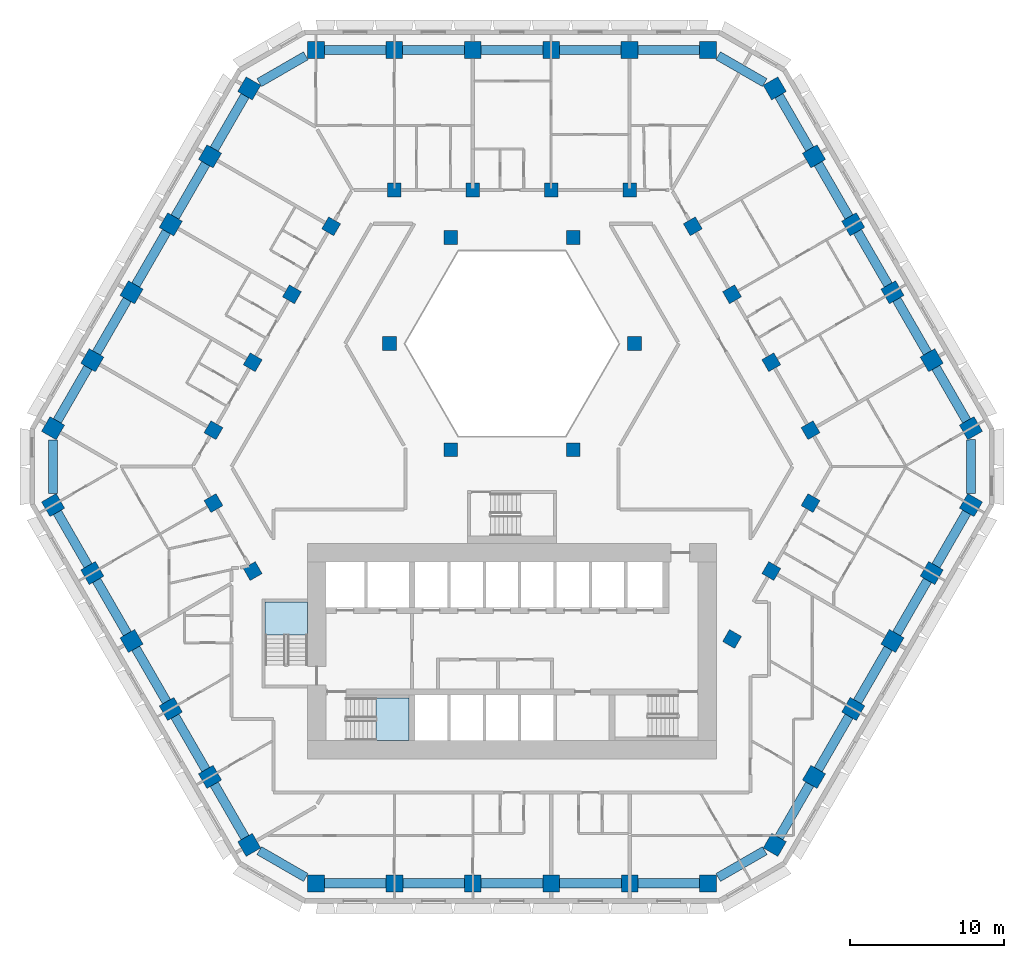
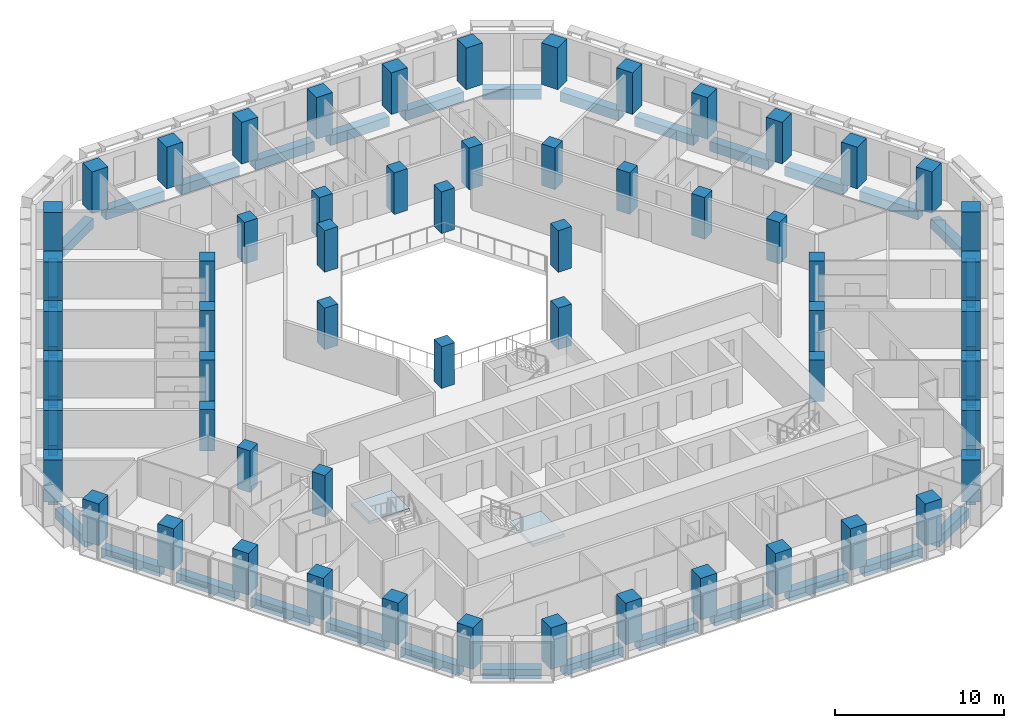
# One storey, part 1 of 16: 59 columns, 36 beams, 2 slabs, 2 elements without a shape of their own.
"""IFC4 building model written with IfcOpenShell, lengths in metres."""

from ifc_helpers import new_model, si_unit, direction, frame, origin, origin_2d, place, context, subcontext, project, spatial, polyline, rectangle, outline, extrude, material, layer, layer_set, material_profile, profile_set, type_object, element, aggregate, save


model = new_model("IFC4")

# Units and contexts
model_context = context("Model", 3, precision=1e-05, world=origin(), true_north=direction((0.0, 1.0)))
body_context = subcontext(model_context, "Body", "Model", "MODEL_VIEW")
ifc_project = project(units=[si_unit("LENGTHUNIT", "METRE"), si_unit("AREAUNIT", "SQUARE_METRE"), si_unit("VOLUMEUNIT", "CUBIC_METRE"), si_unit("PLANEANGLEUNIT", "RADIAN"), si_unit("MASSUNIT", "GRAM", prefix="KILO")], contexts=[model_context])

# Site, building, storey
site_placement = place(None, origin())
site = spatial("IfcSite", under=ifc_project, at=site_placement, CompositionType="ELEMENT")
building_placement = place(site_placement, origin())
building = spatial("IfcBuilding", under=site, at=building_placement, Name="Beryl Residences", CompositionType="ELEMENT")
storey_placement = place(building_placement, frame((0.0, 0.0, 38.39990234375)))
storey = spatial("IfcBuildingStorey", under=building, at=storey_placement, Name="L11", CompositionType="ELEMENT", Elevation=38.39990234375)

# Columns
ifc_material_1 = material(Name="Concrete C80/95", Category="concrete")
ifc_material_profile_1 = material_profile(ifc_material_1, rectangle(XDim=1.10009765625, YDim=1.10009765625, at=origin_2d()))
ifc_profile_set_1 = profile_set([ifc_material_profile_1], Name="Concrete C80/95")
column_type_1 = type_object("IfcColumnType", Name="C1 tube column 1100 x 1100 C80/95", PredefinedType="COLUMN", material=ifc_profile_set_1)
for number, where, z_axis, x_axis, name in (
    (1, (12.759033203125, 27.10009765625, 0.0), (0.0, 0.0, 1.0), (-1.0, 0.0, 0.0), "C1-N1 L11"),
    (2, (7.655029296875, 27.10009765625, 0.0), (0.0, 0.0, 1.0), (-1.0, 0.0, 0.0), "C1-N2 L11"),
    (3, (2.551025390625, 27.10009765625, 0.0), (0.0, 0.0, 1.0), (-1.0, 0.0, 0.0), "C1-N3 L11"),
    (4, (-2.552978515625, 27.10009765625, 0.0), (0.0, 0.0, 1.0), (-1.0, 0.0, 0.0), "C1-N4 L11"),
    (5, (-7.656982421875, 27.10009765625, 0.0), (0.0, 0.0, 1.0), (-1.0, 0.0, 0.0), "C1-N5 L11"),
    (6, (-12.760986328125, 27.10009765625, 0.0), (0.0, 0.0, 1.0), (-1.0, 0.0, 0.0), "C1-N6 L11"),
    (7, (-17.090087890625, 24.60009765625, 0.0), (0.0, 0.0, 1.0), (-0.499984884929, -0.866034130299, 0.0), "C1-NW1 L11"),
    (8, (-19.64208984375, 20.179931640625, 0.0), (0.0, 0.0, 1.0), (-0.499984884929, -0.866034130299, 0.0), "C1-NW2 L11"),
    (9, (-22.194091796875, 15.759033203125, 0.0), (0.0, 0.0, 1.0), (-0.499984884929, -0.866034130299, 0.0), "C1-NW3 L11"),
    (10, (-24.74609375, 11.339111328125, 0.0), (0.0, 0.0, 1.0), (-0.499984884929, -0.866034130299, 0.0), "C1-NW4 L11"),
    (11, (-27.298095703125, 6.9189453125, 0.0), (0.0, 0.0, 1.0), (-0.499984884929, -0.866034130299, 0.0), "C1-NW5 L11"),
    (12, (-29.84912109375, 2.4990234375, 0.0), (0.0, 0.0, 1.0), (-0.499984884929, -0.866034130299, 0.0), "C1-NW6 L11"),
    (13, (-29.847900390625, -2.5, 0.0), (0.0, 0.0, 1.0), (0.499984884929, -0.866034130299, 0.0), "C1-SW1 L11"),
    (14, (-27.297119140625, -6.9208984375, 0.0), (0.0, 0.0, 1.0), (0.499984884929, -0.866034130299, 0.0), "C1-SW2 L11"),
    (15, (-24.7451171875, -11.341064453125, 0.0), (0.0, 0.0, 1.0), (0.499984884929, -0.866034130299, 0.0), "C1-SW3 L11"),
    (16, (-22.193115234375, -15.760986328125, 0.0), (0.0, 0.0, 1.0), (0.499984884929, -0.866034130299, 0.0), "C1-SW4 L11"),
    (17, (-19.64111328125, -20.180908203125, 0.0), (0.0, 0.0, 1.0), (0.499984884929, -0.866034130299, 0.0), "C1-SW5 L11"),
    (18, (-17.089111328125, -24.60107421875, 0.0), (0.0, 0.0, 1.0), (0.499984884929, -0.866034130299, 0.0), "C1-SW6 L11"),
    (19, (-12.759033203125, -27.10009765625, 0.0), (0.0, 0.0, 1.0), (1.0, 0.0, 0.0), "C1-S1 L11"),
    (20, (-7.655029296875, -27.10009765625, 0.0), (0.0, 0.0, 1.0), (1.0, 0.0, 0.0), "C1-S2 L11"),
    (21, (-2.551025390625, -27.10009765625, 0.0), (0.0, 0.0, 1.0), (1.0, 0.0, 0.0), "C1-S3 L11"),
    (22, (2.552978515625, -27.10009765625, 0.0), (0.0, 0.0, 1.0), (1.0, 0.0, 0.0), "C1-S4 L11"),
    (23, (7.656982421875, -27.10009765625, 0.0), (0.0, 0.0, 1.0), (1.0, 0.0, 0.0), "C1-S5 L11"),
    (24, (12.760986328125, -27.10009765625, 0.0), (0.0, 0.0, 1.0), (1.0, 0.0, 0.0), "C1-S6 L11"),
    (25, (17.090087890625, -24.60009765625, 0.0), (0.0, 0.0, 1.0), (0.499984884929, 0.866034130299, 0.0), "C1-SE1 L11"),
    (26, (19.64208984375, -20.179931640625, 0.0), (0.0, 0.0, 1.0), (0.499984884929, 0.866034130299, 0.0), "C1-SE2 L11"),
    (27, (22.194091796875, -15.759033203125, 0.0), (0.0, 0.0, 1.0), (0.499984884929, 0.866034130299, 0.0), "C1-SE3 L11"),
    (28, (24.74609375, -11.339111328125, 0.0), (0.0, 0.0, 1.0), (0.499984884929, 0.866034130299, 0.0), "C1-SE4 L11"),
    (29, (27.298095703125, -6.9189453125, 0.0), (0.0, 0.0, 1.0), (0.499984884929, 0.866034130299, 0.0), "C1-SE5 L11"),
    (30, (29.84912109375, -2.4990234375, 0.0), (0.0, 0.0, 1.0), (0.499984884929, 0.866034130299, 0.0), "C1-SE6 L11"),
    (31, (29.847900390625, 2.5, 0.0), (0.0, 0.0, 1.0), (-0.499984884929, 0.866034130299, 0.0), "C1-NE1 L11"),
    (32, (27.297119140625, 6.9208984375, 0.0), (0.0, 0.0, 1.0), (-0.499984884929, 0.866034130299, 0.0), "C1-NE2 L11"),
    (33, (24.7451171875, 11.341064453125, 0.0), (0.0, 0.0, 1.0), (-0.499984884929, 0.866034130299, 0.0), "C1-NE3 L11"),
    (34, (22.193115234375, 15.760986328125, 0.0), (0.0, 0.0, 1.0), (-0.499984884929, 0.866034130299, 0.0), "C1-NE4 L11"),
    (35, (19.64111328125, 20.180908203125, 0.0), (0.0, 0.0, 1.0), (-0.499984884929, 0.866034130299, 0.0), "C1-NE5 L11"),
    (36, (17.089111328125, 24.60107421875, 0.0), (0.0, 0.0, 1.0), (-0.499984884929, 0.866034130299, 0.0), "C1-NE6 L11"),
):
    element("IfcColumn", number, at=place(storey_placement, frame(where, z_axis=z_axis, x_axis=x_axis)), inside=storey, type_object=column_type_1, Name=name, PredefinedType="COLUMN", context=body_context, shape_type="SweptSolid", body=[
        extrude(rectangle(XDim=1.10009765625, YDim=1.10009765625, at=origin_2d()), origin(), (0.0, 0.0, 1.0), 3.0),
    ])
ifc_material_2 = material(Name="Concrete C80/95", Category="concrete")
ifc_material_profile_2 = material_profile(ifc_material_2, rectangle(XDim=0.89990234375, YDim=0.89990234375, at=origin_2d()))
ifc_profile_set_2 = profile_set([ifc_material_profile_2], Name="Concrete C80/95")
column_type_2 = type_object("IfcColumnType", Name="IC1 interior column 900 x 900 C80/95", PredefinedType="COLUMN", material=ifc_profile_set_2)
for number, where, z_axis, x_axis, name in (
    (37, (-19.416015625, -2.37109375, 0.0), (0.0, 0.0, 1.0), (0.499984884929, -0.866034130299, 0.0), "IC1-M01 L11"),
    (38, (-16.864013671875, -6.791015625, 0.0), (0.0, 0.0, 1.0), (0.499984884929, -0.866034130299, 0.0), "IC1-M02 L11"),
    (39, (14.31298828125, -11.208984375, 0.0), (0.0, 0.0, 1.0), (0.499984884929, 0.866034130299, 0.0), "IC1-M03 L11"),
    (40, (16.864990234375, -6.7890625, 0.0), (0.0, 0.0, 1.0), (0.499984884929, 0.866034130299, 0.0), "IC1-M04 L11"),
    (41, (19.4169921875, -2.368896484375, 0.0), (0.0, 0.0, 1.0), (0.499984884929, 0.866034130299, 0.0), "IC1-M05 L11"),
    (42, (19.416015625, 2.37109375, 0.0), (0.0, 0.0, 1.0), (-0.499984884929, 0.866034130299, 0.0), "IC1-M06 L11"),
    (43, (3.98388671875, 1.10009765625, 0.0), (0.0, 0.0, 1.0), (1.0, 0.0, 0.0), "IC1-A07 L11"),
    (44, (16.864013671875, 6.791015625, 0.0), (0.0, 0.0, 1.0), (-0.499984884929, 0.866034130299, 0.0), "IC1-M08 L11"),
    (45, (14.31201171875, 11.2109375, 0.0), (0.0, 0.0, 1.0), (-0.499984884929, 0.866034130299, 0.0), "IC1-M09 L11"),
    (46, (7.967041015625, 8.0, 0.0), (0.0, 0.0, 1.0), (1.0, 0.0, 0.0), "IC1-A10 L11"),
    (47, (11.760009765625, 15.631103515625, 0.0), (0.0, 0.0, 1.0), (-0.499984884929, 0.866034130299, 0.0), "IC1-M11 L11"),
    (48, (7.655029296875, 18.0, 0.0), (0.0, 0.0, 1.0), (-1.0, 0.0, 0.0), "IC1-M12 L11"),
    (49, (3.98388671875, 14.89990234375, 0.0), (0.0, 0.0, 1.0), (1.0, 0.0, 0.0), "IC1-A13 L11"),
    (50, (2.551025390625, 18.0, 0.0), (0.0, 0.0, 1.0), (-1.0, 0.0, 0.0), "IC1-M14 L11"),
    (51, (-2.552978515625, 18.0, 0.0), (0.0, 0.0, 1.0), (-1.0, 0.0, 0.0), "IC1-M15 L11"),
    (52, (-3.98388671875, 14.89990234375, 0.0), (0.0, 0.0, 1.0), (1.0, 0.0, 0.0), "IC1-A16 L11"),
    (53, (-7.656982421875, 18.0, 0.0), (0.0, 0.0, 1.0), (-1.0, 0.0, 0.0), "IC1-M17 L11"),
    (54, (-11.760986328125, 15.6298828125, 0.0), (0.0, 0.0, 1.0), (-0.499984884929, -0.866034130299, 0.0), "IC1-M18 L11"),
    (55, (-7.967041015625, 8.0, 0.0), (0.0, 0.0, 1.0), (1.0, 0.0, 0.0), "IC1-A19 L11"),
    (56, (-14.31298828125, 11.208984375, 0.0), (0.0, 0.0, 1.0), (-0.499984884929, -0.866034130299, 0.0), "IC1-M20 L11"),
    (57, (-16.864990234375, 6.7890625, 0.0), (0.0, 0.0, 1.0), (-0.499984884929, -0.866034130299, 0.0), "IC1-M21 L11"),
    (58, (-3.98388671875, 1.10009765625, 0.0), (0.0, 0.0, 1.0), (1.0, 0.0, 0.0), "IC1-A22 L11"),
    (59, (-19.4169921875, 2.368896484375, 0.0), (0.0, 0.0, 1.0), (-0.499984884929, -0.866034130299, 0.0), "IC1-M23 L11"),
):
    element("IfcColumn", number, at=place(storey_placement, frame(where, z_axis=z_axis, x_axis=x_axis)), inside=storey, type_object=column_type_2, Name=name, PredefinedType="COLUMN", context=body_context, shape_type="SweptSolid", body=[
        extrude(rectangle(XDim=0.89990234375, YDim=0.89990234375, at=origin_2d()), origin(), (0.0, 0.0, 1.0), 3.0),
    ])

# Beams
ifc_material_3 = material(Name="Concrete C80/95", Category="concrete")
ifc_material_profile_3 = material_profile(ifc_material_3, rectangle(XDim=0.60009765625, YDim=0.699951171875, at=origin_2d()))
ifc_profile_set_3 = profile_set([ifc_material_profile_3], Name="Concrete C80/95")
beam_type = type_object("IfcBeamType", Name="SB1 spandrel beam 600 x 700 C80/95", PredefinedType="SPANDREL", material=ifc_profile_set_3)
for number, where, z_axis, x_axis, name in (
    (60, (12.208984375, 27.10009765625, -0.64990234375), (-1.0, 0.0, 0.0), (0.0, -1.0, 0.0), "SB1 L11 N-0"),
    (61, (7.10498046875, 27.10009765625, -0.64990234375), (-1.0, 0.0, 0.0), (0.0, -1.0, 0.0), "SB1 L11 N-1"),
    (62, (2.0009765625, 27.10009765625, -0.64990234375), (-1.0, 0.0, 0.0), (0.0, -1.0, 0.0), "SB1 L11 N-2"),
    (63, (-3.10302734375, 27.10009765625, -0.64990234375), (-1.0, 0.0, 0.0), (0.0, -1.0, 0.0), "SB1 L11 N-3"),
    (64, (-8.20703125, 27.10009765625, -0.64990234375), (-1.0, 0.0, 0.0), (0.0, -1.0, 0.0), "SB1 L11 N-4"),
):
    element("IfcBeam", number, at=place(storey_placement, frame(where, z_axis=z_axis, x_axis=x_axis)), inside=storey, type_object=beam_type, Name=name, PredefinedType="SPANDREL", context=body_context, shape_type="SweptSolid", body=[
        extrude(rectangle(XDim=0.60009765625, YDim=0.699951171875, at=origin_2d()), origin(), (0.0, 0.0, 1.0), 4.00390625),
    ])
beam_1_placement = place(storey_placement, frame((-13.410888671875, 26.72412109375, -0.64990234375), z_axis=(-0.866121658299, -0.499833245218, 0.0), x_axis=(0.499833245218, -0.866121658299, 0.0)))
element("IfcBeam", 65, at=beam_1_placement, inside=storey, type_object=beam_type, Name="SB1 L11 N-5", PredefinedType="SPANDREL", context=body_context, shape_type="SweptSolid", body=[
    extrude(rectangle(XDim=0.60009765625, YDim=0.699951171875, at=origin_2d()), origin(), (0.0, 0.0, 1.0), 3.497314453125),
])
beam_2_placement = place(storey_placement, frame((-17.364990234375, 24.1240234375, -0.64990234375), z_axis=(-0.499942357345, -0.866058681229, 0.0), x_axis=(0.866058681229, -0.499942357345, 0.0)))
element("IfcBeam", 66, at=beam_2_placement, inside=storey, type_object=beam_type, Name="SB1 L11 NW-0", PredefinedType="SPANDREL", context=body_context, shape_type="SweptSolid", body=[
    extrude(rectangle(XDim=0.60009765625, YDim=0.699951171875, at=origin_2d()), origin(), (0.0, 0.0, 1.0), 4.00439453125),
])
beam_3_placement = place(storey_placement, frame((-19.9169921875, 19.7041015625, -0.64990234375), z_axis=(-0.499836783367, -0.866119616446, 0.0), x_axis=(0.866119616446, -0.499836783367, 0.0)))
element("IfcBeam", 67, at=beam_3_placement, inside=storey, type_object=beam_type, Name="SB1 L11 NW-1", PredefinedType="SPANDREL", context=body_context, shape_type="SweptSolid", body=[
    extrude(rectangle(XDim=0.60009765625, YDim=0.699951171875, at=origin_2d()), origin(), (0.0, 0.0, 1.0), 4.005126953125),
])
for number, where, z_axis, x_axis, name in (
    (68, (-22.468994140625, 15.282958984375, -0.64990234375), (-0.499942357345, -0.866058681229, 0.0), (0.866058681229, -0.499942357345, 0.0), "SB1 L11 NW-2"),
    (69, (-25.02099609375, 10.863037109375, -0.64990234375), (-0.499942357345, -0.866058681229, 0.0), (0.866058681229, -0.499942357345, 0.0), "SB1 L11 NW-3"),
):
    element("IfcBeam", number, at=place(storey_placement, frame(where, z_axis=z_axis, x_axis=x_axis)), inside=storey, type_object=beam_type, Name=name, PredefinedType="SPANDREL", context=body_context, shape_type="SweptSolid", body=[
        extrude(rectangle(XDim=0.60009765625, YDim=0.699951171875, at=origin_2d()), origin(), (0.0, 0.0, 1.0), 4.00439453125),
    ])
beam_4_placement = place(storey_placement, frame((-27.572998046875, 6.443115234375, -0.64990234375), z_axis=(-0.499759404093, -0.866164267342, 0.0), x_axis=(0.866164267342, -0.499759404093, 0.0)))
element("IfcBeam", 70, at=beam_4_placement, inside=storey, type_object=beam_type, Name="SB1 L11 NW-4", PredefinedType="SPANDREL", context=body_context, shape_type="SweptSolid", body=[
    extrude(rectangle(XDim=0.60009765625, YDim=0.699951171875, at=origin_2d()), origin(), (0.0, 0.0, 1.0), 4.00390625),
])
beam_5_placement = place(storey_placement, frame((-29.84912109375, 1.748046875, -0.64990234375), z_axis=(0.000349064486, -0.999999939077, 0.0), x_axis=(0.999999939077, 0.000349064486, 0.0)))
element("IfcBeam", 71, at=beam_5_placement, inside=storey, type_object=beam_type, Name="SB1 L11 NW-5", PredefinedType="SPANDREL", context=body_context, shape_type="SweptSolid", body=[
    extrude(rectangle(XDim=0.60009765625, YDim=0.699951171875, at=origin_2d()), origin(), (0.0, 0.0, 1.0), 3.4970703125),
])
beam_6_placement = place(storey_placement, frame((-29.572998046875, -2.97607421875, -0.64990234375), z_axis=(0.499653843024, -0.866225165388, 0.0), x_axis=(0.866225165388, 0.499653843024, 0.0)))
element("IfcBeam", 72, at=beam_6_placement, inside=storey, type_object=beam_type, Name="SB1 L11 SW-0", PredefinedType="SPANDREL", context=body_context, shape_type="SweptSolid", body=[
    extrude(rectangle(XDim=0.60009765625, YDim=0.699951171875, at=origin_2d()), origin(), (0.0, 0.0, 1.0), 4.004638671875),
])
for number, where, z_axis, x_axis, name in (
    (73, (-27.02197265625, -7.39697265625, -0.64990234375), (0.499942357345, -0.866058681229, 0.0), (0.866058681229, 0.499942357345, 0.0), "SB1 L11 SW-1"),
    (74, (-24.469970703125, -11.81689453125, -0.64990234375), (0.499942357345, -0.866058681229, 0.0), (0.866058681229, 0.499942357345, 0.0), "SB1 L11 SW-2"),
    (75, (-21.91796875, -16.237060546875, -0.64990234375), (0.499942357345, -0.866058681229, 0.0), (0.866058681229, 0.499942357345, 0.0), "SB1 L11 SW-3"),
    (76, (-19.365966796875, -20.656982421875, -0.64990234375), (0.499942357345, -0.866058681229, 0.0), (0.866058681229, 0.499942357345, 0.0), "SB1 L11 SW-4"),
):
    element("IfcBeam", number, at=place(storey_placement, frame(where, z_axis=z_axis, x_axis=x_axis)), inside=storey, type_object=beam_type, Name=name, PredefinedType="SPANDREL", context=body_context, shape_type="SweptSolid", body=[
        extrude(rectangle(XDim=0.60009765625, YDim=0.699951171875, at=origin_2d()), origin(), (0.0, 0.0, 1.0), 4.00439453125),
    ])
beam_7_placement = place(storey_placement, frame((-16.43896484375, -24.97607421875, -0.64990234375), z_axis=(0.866070549782, -0.499921796684, 0.0), x_axis=(0.499921796684, 0.866070549782, 0.0)))
element("IfcBeam", 77, at=beam_7_placement, inside=storey, type_object=beam_type, Name="SB1 L11 SW-5", PredefinedType="SPANDREL", context=body_context, shape_type="SweptSolid", body=[
    extrude(rectangle(XDim=0.60009765625, YDim=0.699951171875, at=origin_2d()), origin(), (0.0, 0.0, 1.0), 3.49853515625),
])
for number, where, z_axis, x_axis, name in (
    (78, (-12.208984375, -27.10009765625, -0.64990234375), (1.0, 0.0, 0.0), (0.0, 1.0, 0.0), "SB1 L11 S-0"),
    (79, (-7.10498046875, -27.10009765625, -0.64990234375), (1.0, 0.0, 0.0), (0.0, 1.0, 0.0), "SB1 L11 S-1"),
    (80, (-2.0009765625, -27.10009765625, -0.64990234375), (1.0, 0.0, 0.0), (0.0, 1.0, 0.0), "SB1 L11 S-2"),
    (81, (3.10302734375, -27.10009765625, -0.64990234375), (1.0, 0.0, 0.0), (0.0, 1.0, 0.0), "SB1 L11 S-3"),
    (82, (8.20703125, -27.10009765625, -0.64990234375), (1.0, 0.0, 0.0), (0.0, 1.0, 0.0), "SB1 L11 S-4"),
):
    element("IfcBeam", number, at=place(storey_placement, frame(where, z_axis=z_axis, x_axis=x_axis)), inside=storey, type_object=beam_type, Name=name, PredefinedType="SPANDREL", context=body_context, shape_type="SweptSolid", body=[
        extrude(rectangle(XDim=0.60009765625, YDim=0.699951171875, at=origin_2d()), origin(), (0.0, 0.0, 1.0), 4.00390625),
    ])
beam_8_placement = place(storey_placement, frame((13.410888671875, -26.72412109375, -0.64990234375), z_axis=(0.866121658299, 0.499833245218, 0.0), x_axis=(-0.499833245218, 0.866121658299, 0.0)))
element("IfcBeam", 83, at=beam_8_placement, inside=storey, type_object=beam_type, Name="SB1 L11 S-5", PredefinedType="SPANDREL", context=body_context, shape_type="SweptSolid", body=[
    extrude(rectangle(XDim=0.60009765625, YDim=0.699951171875, at=origin_2d()), origin(), (0.0, 0.0, 1.0), 3.497314453125),
])
beam_9_placement = place(storey_placement, frame((17.364990234375, -24.1240234375, -0.64990234375), z_axis=(0.499942357345, 0.866058681229, 0.0), x_axis=(-0.866058681229, 0.499942357345, 0.0)))
element("IfcBeam", 84, at=beam_9_placement, inside=storey, type_object=beam_type, Name="SB1 L11 SE-0", PredefinedType="SPANDREL", context=body_context, shape_type="SweptSolid", body=[
    extrude(rectangle(XDim=0.60009765625, YDim=0.699951171875, at=origin_2d()), origin(), (0.0, 0.0, 1.0), 4.00439453125),
])
beam_10_placement = place(storey_placement, frame((19.9169921875, -19.7041015625, -0.64990234375), z_axis=(0.499836783367, 0.866119616446, 0.0), x_axis=(-0.866119616446, 0.499836783367, 0.0)))
element("IfcBeam", 85, at=beam_10_placement, inside=storey, type_object=beam_type, Name="SB1 L11 SE-1", PredefinedType="SPANDREL", context=body_context, shape_type="SweptSolid", body=[
    extrude(rectangle(XDim=0.60009765625, YDim=0.699951171875, at=origin_2d()), origin(), (0.0, 0.0, 1.0), 4.005126953125),
])
for number, where, z_axis, x_axis, name in (
    (86, (22.468994140625, -15.282958984375, -0.64990234375), (0.499942357345, 0.866058681229, 0.0), (-0.866058681229, 0.499942357345, 0.0), "SB1 L11 SE-2"),
    (87, (25.02099609375, -10.863037109375, -0.64990234375), (0.499942357345, 0.866058681229, 0.0), (-0.866058681229, 0.499942357345, 0.0), "SB1 L11 SE-3"),
):
    element("IfcBeam", number, at=place(storey_placement, frame(where, z_axis=z_axis, x_axis=x_axis)), inside=storey, type_object=beam_type, Name=name, PredefinedType="SPANDREL", context=body_context, shape_type="SweptSolid", body=[
        extrude(rectangle(XDim=0.60009765625, YDim=0.699951171875, at=origin_2d()), origin(), (0.0, 0.0, 1.0), 4.00439453125),
    ])
beam_11_placement = place(storey_placement, frame((27.572998046875, -6.443115234375, -0.64990234375), z_axis=(0.499759404093, 0.866164267342, 0.0), x_axis=(-0.866164267342, 0.499759404093, 0.0)))
element("IfcBeam", 88, at=beam_11_placement, inside=storey, type_object=beam_type, Name="SB1 L11 SE-4", PredefinedType="SPANDREL", context=body_context, shape_type="SweptSolid", body=[
    extrude(rectangle(XDim=0.60009765625, YDim=0.699951171875, at=origin_2d()), origin(), (0.0, 0.0, 1.0), 4.00390625),
])
beam_12_placement = place(storey_placement, frame((29.84912109375, -1.748046875, -0.64990234375), z_axis=(-0.000349064486, 0.999999939077, 0.0), x_axis=(-0.999999939077, -0.000349064486, 0.0)))
element("IfcBeam", 89, at=beam_12_placement, inside=storey, type_object=beam_type, Name="SB1 L11 SE-5", PredefinedType="SPANDREL", context=body_context, shape_type="SweptSolid", body=[
    extrude(rectangle(XDim=0.60009765625, YDim=0.699951171875, at=origin_2d()), origin(), (0.0, 0.0, 1.0), 3.4970703125),
])
beam_13_placement = place(storey_placement, frame((29.572998046875, 2.97607421875, -0.64990234375), z_axis=(-0.499653843024, 0.866225165388, 0.0), x_axis=(-0.866225165388, -0.499653843024, 0.0)))
element("IfcBeam", 90, at=beam_13_placement, inside=storey, type_object=beam_type, Name="SB1 L11 NE-0", PredefinedType="SPANDREL", context=body_context, shape_type="SweptSolid", body=[
    extrude(rectangle(XDim=0.60009765625, YDim=0.699951171875, at=origin_2d()), origin(), (0.0, 0.0, 1.0), 4.004638671875),
])
for number, where, z_axis, x_axis, name in (
    (91, (27.02197265625, 7.39697265625, -0.64990234375), (-0.499942357345, 0.866058681229, 0.0), (-0.866058681229, -0.499942357345, 0.0), "SB1 L11 NE-1"),
    (92, (24.469970703125, 11.81689453125, -0.64990234375), (-0.499942357345, 0.866058681229, 0.0), (-0.866058681229, -0.499942357345, 0.0), "SB1 L11 NE-2"),
    (93, (21.91796875, 16.237060546875, -0.64990234375), (-0.499942357345, 0.866058681229, 0.0), (-0.866058681229, -0.499942357345, 0.0), "SB1 L11 NE-3"),
    (94, (19.365966796875, 20.656982421875, -0.64990234375), (-0.499942357345, 0.866058681229, 0.0), (-0.866058681229, -0.499942357345, 0.0), "SB1 L11 NE-4"),
):
    element("IfcBeam", number, at=place(storey_placement, frame(where, z_axis=z_axis, x_axis=x_axis)), inside=storey, type_object=beam_type, Name=name, PredefinedType="SPANDREL", context=body_context, shape_type="SweptSolid", body=[
        extrude(rectangle(XDim=0.60009765625, YDim=0.699951171875, at=origin_2d()), origin(), (0.0, 0.0, 1.0), 4.00439453125),
    ])
beam_14_placement = place(storey_placement, frame((16.43896484375, 24.97607421875, -0.64990234375), z_axis=(-0.866070549782, 0.499921796684, 0.0), x_axis=(-0.499921796684, -0.866070549782, 0.0)))
element("IfcBeam", 95, at=beam_14_placement, inside=storey, type_object=beam_type, Name="SB1 L11 NE-5", PredefinedType="SPANDREL", context=body_context, shape_type="SweptSolid", body=[
    extrude(rectangle(XDim=0.60009765625, YDim=0.699951171875, at=origin_2d()), origin(), (0.0, 0.0, 1.0), 3.49853515625),
])

# Stair, slab
ifc_material_4 = material(Name="Concrete C40/50", Category="concrete")
stair_type = type_object("IfcStairType", Name="ST1 protected exit stair, half-turn, 1300 mm flights", PredefinedType="HALF_TURN_STAIR", material=ifc_material_4)
stair_1_placement = place(storey_placement, origin())
stair_1 = element("IfcStair", 96, at=stair_1_placement, inside=storey, type_object=stair_type, Name="L11 PROTECTED EXIT STAIR ST-1", PredefinedType="HALF_TURN_STAIR")
ifc_material_5 = material(Name="Concrete C40/50", Category="concrete")
ifc_layer = layer(ifc_material_5, 0.199951171875)
ifc_layer_set = layer_set([ifc_layer], Name="SLD1 stair landing 200 mm")
slab_type = type_object("IfcSlabType", Name="SLD1 stair landing 200 mm", PredefinedType="LANDING", material=ifc_layer_set)
slab_1_placement = place(storey_placement, frame((0.0, 0.0, 1.300048828125)))
slab_1 = element("IfcSlab", 97, at=slab_1_placement, type_object=slab_type, Name="ST-1 landing 1", PredefinedType="LANDING", context=body_context, shape_type="SweptSolid", body=[
    extrude(outline(polyline([(-8.840087890625, -17.800048828125), (-6.699951171875, -17.800048828125), (-6.699951171875, -15.050048828125), (-8.840087890625, -15.050048828125), (-8.840087890625, -17.800048828125)])), origin(), (0.0, 0.0, 1.0), 0.199951171875),
])
aggregate(stair_1, [slab_1])

stair_2_placement = place(storey_placement, origin())
stair_2 = element("IfcStair", 98, at=stair_2_placement, inside=storey, type_object=stair_type, Name="L11 PROTECTED EXIT STAIR ST-2", PredefinedType="HALF_TURN_STAIR")
slab_2_placement = place(storey_placement, frame((0.0, 0.0, 1.300048828125)))
slab_2 = element("IfcSlab", 99, at=slab_2_placement, type_object=slab_type, Name="ST-2 landing 1", PredefinedType="LANDING", context=body_context, shape_type="SweptSolid", body=[
    extrude(outline(polyline([(-13.300048828125, -10.93994140625), (-13.300048828125, -8.800048828125), (-16.050048828125, -8.800048828125), (-16.050048828125, -10.93994140625), (-13.300048828125, -10.93994140625)])), origin(), (0.0, 0.0, 1.0), 0.199951171875),
])
aggregate(stair_2, [slab_2])

save(model, "model.ifc")
